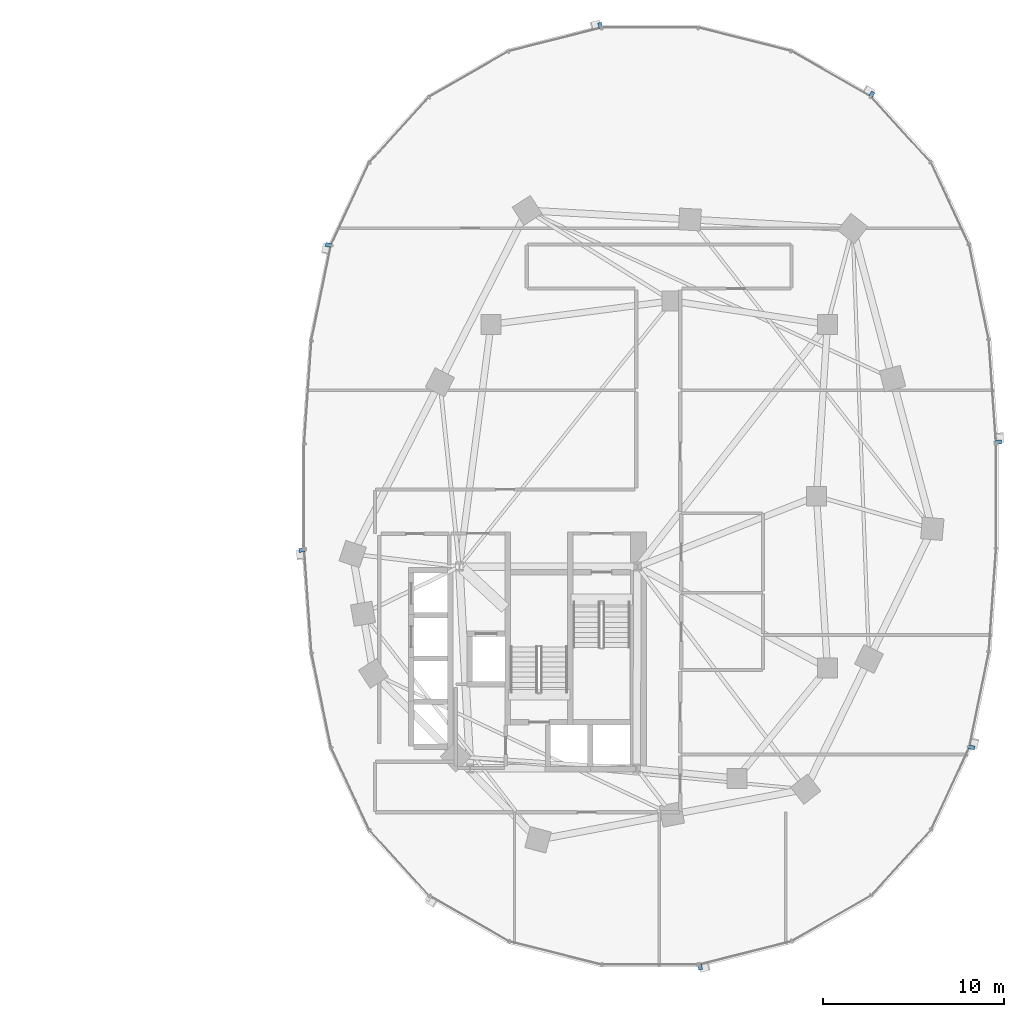
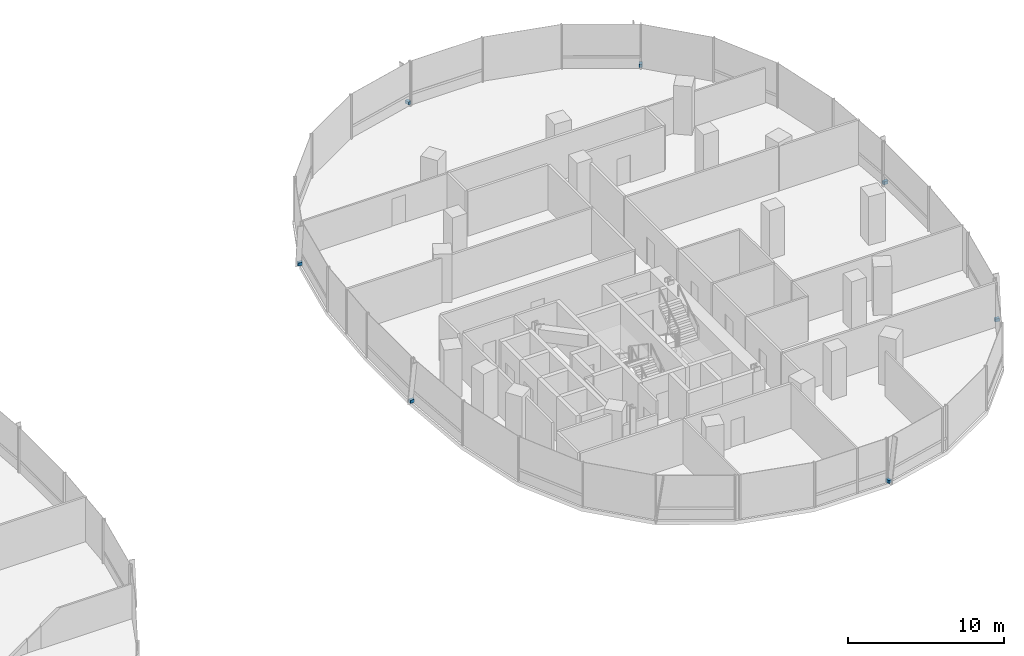
# One storey, part 16 of 21: 7 discrete accessories.
"""IFC4 building model written with IfcOpenShell, lengths in metres."""

from ifc_helpers import new_model, si_unit, direction, frame, origin, origin_2d, place, context, subcontext, project, spatial, rectangle, extrude, material, type_object, element, save


model = new_model("IFC4")

# Units and contexts
model_context = context("Model", 3, precision=1e-05, world=origin(), true_north=direction((0.0, 1.0)))
body_context = subcontext(model_context, "Body", "Model", "MODEL_VIEW")
ifc_project = project(units=[si_unit("LENGTHUNIT", "METRE"), si_unit("AREAUNIT", "SQUARE_METRE"), si_unit("VOLUMEUNIT", "CUBIC_METRE"), si_unit("PLANEANGLEUNIT", "RADIAN"), si_unit("MASSUNIT", "GRAM", prefix="KILO"), si_unit("THERMODYNAMICTEMPERATUREUNIT", "KELVIN"), si_unit("POWERUNIT", "WATT")], contexts=[model_context])

# Site, building, storey
site_placement = place(None, origin())
site = spatial("IfcSite", under=ifc_project, at=site_placement, CompositionType="ELEMENT")
building_placement = place(site_placement, origin())
building = spatial("IfcBuilding", under=site, at=building_placement, Name="Cundina Bronze Exchange", CompositionType="ELEMENT")
storey_placement = place(building_placement, frame((0.0, 0.0, 65.800048828125)))
storey = spatial("IfcBuildingStorey", under=building, at=storey_placement, Name="L16", CompositionType="ELEMENT", Elevation=65.800048828125)

# Discrete accessories
ifc_material = material(Name="Anodised Bronze Aluminium 6063-T6", Category="aluminium")
discrete_accessory_type = type_object("IfcDiscreteAccessoryType", Name="ACC-BRK-FIN", PredefinedType="BRACKET", material=ifc_material)
for number, where, z_axis, x_axis, name in (
    (1, (51.264404296875, 2.986083984375, 0.10009765625), (0.0, 0.0, 1.0), (-0.070278787473, 0.997527389113, 0.0), "L16 Fin Support Bracket 1"),
    (2, (44.259521484375, 22.21875, 0.10009765625), (0.0, 0.0, 1.0), (-0.867105478933, 0.498124571171, 0.0), "L16 Fin Support Bracket 5"),
    (3, (29.23974609375, 26.03173828125, 0.10009765625), (0.0, 0.0, 1.0), (-0.969488149345, -0.245138182011, 0.0), "L16 Fin Support Bracket 1"),
    (4, (14.211669921875, 13.8896484375, 0.10009765625), (0.0, 0.0, 1.0), (-0.201419845156, -0.979505000486, 0.0), "L16 Fin Support Bracket 5"),
    (5, (12.735595703125, -2.986083984375, 0.10009765625), (0.0, 0.0, 1.0), (0.070278787473, -0.997527389113, 0.0), "L16 Fin Support Bracket 1"),
    (6, (34.76025390625, -26.03173828125, 0.10009765625), (0.0, 0.0, 1.0), (0.969488149345, 0.245138182011, 0.0), "L16 Fin Support Bracket 1"),
    (7, (49.788330078125, -13.8896484375, 0.10009765625), (0.0, 0.0, 1.0), (0.201419845156, 0.979505000486, 0.0), "L16 Fin Support Bracket 5"),
):
    element("IfcDiscreteAccessory", number, at=place(storey_placement, frame(where, z_axis=z_axis, x_axis=x_axis)), inside=storey, type_object=discrete_accessory_type, Name=name, PredefinedType="BRACKET", context=body_context, shape_type="SweptSolid", body=[
        extrude(rectangle(XDim=0.219970703125, YDim=0.320068359375, at=origin_2d()), origin(), (0.0, 0.0, 1.0), 0.239990234375),
    ])

save(model, "model.ifc")
